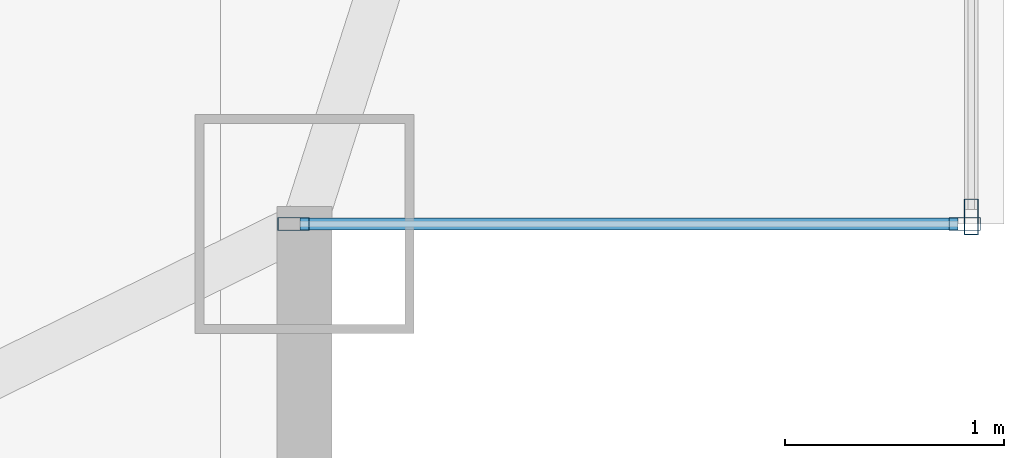
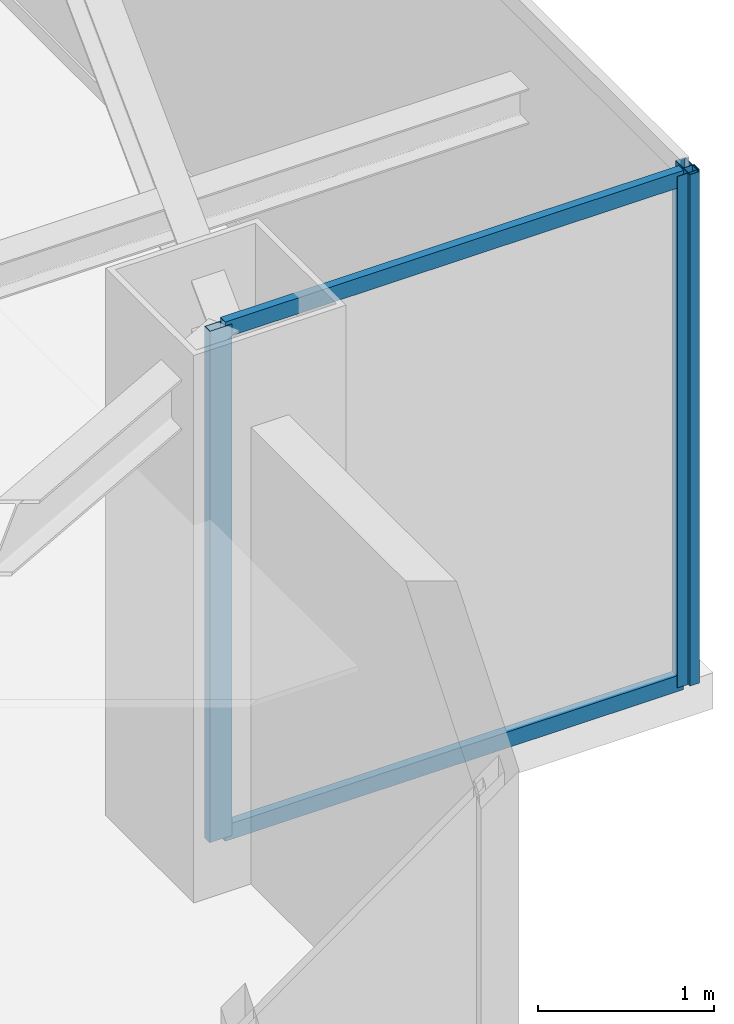
# One storey, part 12 of 24: 5 members, 2 elements without a shape of their own.
"""IFC4 building model written with IfcOpenShell, lengths in metres."""

from ifc_helpers import new_model, si_unit, direction, frame, origin, origin_2d, place, context, subcontext, project, spatial, hollow_rectangle, extrude, source, transform, mapped, material, layer, layer_set, material_profile, profile_set, type_object, type_shapes, element, aggregate, save


model = new_model("IFC4")

# Units and contexts
model_context = context("Model", 3, precision=1e-05, world=origin(), true_north=direction((0.0, 1.0)))
body_context = subcontext(model_context, "Body", "Model", "MODEL_VIEW")
ifc_project = project(units=[si_unit("LENGTHUNIT", "METRE"), si_unit("AREAUNIT", "SQUARE_METRE"), si_unit("VOLUMEUNIT", "CUBIC_METRE"), si_unit("PLANEANGLEUNIT", "RADIAN"), si_unit("MASSUNIT", "GRAM", prefix="KILO")], contexts=[model_context])

# Site, building, storey
site_placement = place(None, origin())
site = spatial("IfcSite", under=ifc_project, at=site_placement, CompositionType="ELEMENT")
building_placement = place(site_placement, origin())
building = spatial("IfcBuilding", under=site, at=building_placement, Name="Varnel Quay Broadcast Tower", CompositionType="ELEMENT")
storey_placement = place(building_placement, frame((0.0, 0.0, 281.199951171875)))
storey = spatial("IfcBuildingStorey", under=building, at=storey_placement, Name="L70", CompositionType="ELEMENT", Elevation=281.199951171875)

# Curtain wall, members
ifc_material = material(Name="Anodised Bronze Aluminium 6063-T6", Category="aluminium")
ifc_layer_1 = layer(ifc_material, 0.18994140625, Name="Anodised Bronze Aluminium 6063-T6")
ifc_layer_set_1 = layer_set([ifc_layer_1], Name="Anodised Bronze Aluminium 6063-T6")
curtain_wall_type_1 = type_object("IfcCurtainWallType", Name="CW_NotchCorner", PredefinedType="NOTDEFINED", material=ifc_layer_set_1)
curtain_wall_1_placement = place(storey_placement, origin())
curtain_wall_1 = element("IfcCurtainWall", 1, at=curtain_wall_1_placement, inside=storey, type_object=curtain_wall_type_1, Name="L70 SE Notch Curtain Wall", PredefinedType="NOTDEFINED")
ifc_material_profile_1 = material_profile(ifc_material, hollow_rectangle(XDim=0.06005859375, YDim=0.14501953125, WallThickness=0.00341796875, at=origin_2d()), Name="ALU60X145X3.5")
ifc_profile_set_1 = profile_set([ifc_material_profile_1], Name="Anodised Bronze Aluminium 6063-T6")
member_type_1 = type_object("IfcMemberType", Name="Mull_CWS-04", PredefinedType="MULLION", material=ifc_profile_set_1)
shared_shape_1 = source(origin(), body_context, "Body", "SweptSolid", [
    extrude(hollow_rectangle(XDim=0.06005859375, YDim=0.14501953125, WallThickness=0.00341796875, at=origin_2d()), origin(), (0.0, 0.0, 1.0), 3.550048828125),
])
type_shapes(member_type_1, [shared_shape_1])
member_1_placement = place(storey_placement, frame((52.75, 16.39990234375, 0.0), z_axis=(0.0, 0.0, 1.0), x_axis=(0.0, 1.0, 0.0)))
member_1 = element("IfcMember", 2, at=member_1_placement, type_object=member_type_1, Name="CWS-04 mullion 1", PredefinedType="MULLION", context=body_context, shape_type="MappedRepresentation", body=[
    mapped(shared_shape_1, transform((0.0, 0.0, 0.0), x_axis=(1.0, 0.0, 0.0), y_axis=(0.0, 1.0, 0.0), z_axis=(0.0, 0.0, 1.0), scale=1.0)),
])
member_2_placement = place(storey_placement, frame((55.820068359375, 16.39990234375, 0.0), z_axis=(0.0, 0.0, 1.0), x_axis=(0.0, 1.0, 0.0)))
member_2 = element("IfcMember", 3, at=member_2_placement, type_object=member_type_1, Name="CWS-04 mullion 2", PredefinedType="MULLION", context=body_context, shape_type="MappedRepresentation", body=[
    mapped(shared_shape_1, transform((0.0, 0.0, 0.0), x_axis=(1.0, 0.0, 0.0), y_axis=(0.0, 1.0, 0.0), z_axis=(0.0, 0.0, 1.0), scale=1.0)),
])

# Curtain wall, member
ifc_layer_2 = layer(ifc_material, 0.18994140625, Name="Anodised Bronze Aluminium 6063-T6")
ifc_layer_set_2 = layer_set([ifc_layer_2], Name="Anodised Bronze Aluminium 6063-T6")
curtain_wall_type_2 = type_object("IfcCurtainWallType", Name="CW_UpperTower", PredefinedType="NOTDEFINED", material=ifc_layer_set_2)
curtain_wall_2_placement = place(storey_placement, origin())
curtain_wall_2 = element("IfcCurtainWall", 4, at=curtain_wall_2_placement, inside=storey, type_object=curtain_wall_type_2, Name="L70 East Unitised Curtain Wall", PredefinedType="NOTDEFINED")
ifc_material_profile_2 = material_profile(ifc_material, hollow_rectangle(XDim=0.06494140625, YDim=0.1650390625, WallThickness=0.00341796875, at=origin_2d()), Name="ALU65X165X3.5")
ifc_profile_set_2 = profile_set([ifc_material_profile_2], Name="Anodised Bronze Aluminium 6063-T6")
member_type_2 = type_object("IfcMemberType", Name="Mull_CWS-03", PredefinedType="MULLION", material=ifc_profile_set_2)
shared_shape_2 = source(origin(), body_context, "Body", "SweptSolid", [
    extrude(hollow_rectangle(XDim=0.06494140625, YDim=0.1650390625, WallThickness=0.00341796875, at=origin_2d()), origin(), (0.0, 0.0, 1.0), 3.550048828125),
])
type_shapes(member_type_2, [shared_shape_2])
member_3_placement = place(storey_placement, frame((55.85009765625, 16.4326171875, 0.0), z_axis=(0.0, 0.0, 1.0), x_axis=(-1.0, 0.0, 0.0)))
member_3 = element("IfcMember", 5, at=member_3_placement, type_object=member_type_2, Name="CWS-03 mullion 1", PredefinedType="MULLION", context=body_context, shape_type="MappedRepresentation", body=[
    mapped(shared_shape_2, transform((0.0, 0.0, 0.0), x_axis=(1.0, 0.0, 0.0), y_axis=(0.0, 1.0, 0.0), z_axis=(0.0, 0.0, 1.0), scale=1.0)),
])
aggregate(curtain_wall_2, [member_3])

# Member
ifc_material_profile_3 = material_profile(ifc_material, hollow_rectangle(XDim=0.054931640625, YDim=0.110107421875, WallThickness=0.0029296875, at=origin_2d()), Name="ALU55X110X3")
ifc_profile_set_3 = profile_set([ifc_material_profile_3], Name="Anodised Bronze Aluminium 6063-T6")
member_type_3 = type_object("IfcMemberType", Name="Tran_CWS-04", PredefinedType="USERDEFINED", material=ifc_profile_set_3)
shared_shape_3 = source(origin(), body_context, "Body", "SweptSolid", [
    extrude(hollow_rectangle(XDim=0.054931640625, YDim=0.110107421875, WallThickness=0.0029296875, at=origin_2d()), origin(), (0.0, 0.0, 1.0), 3.010009765625),
])
type_shapes(member_type_3, [shared_shape_3])
member_4_placement = place(storey_placement, frame((52.780029296875, 16.39990234375, 0.027587890625), z_axis=(1.0, 0.0, 0.0), x_axis=(0.0, 1.0, 0.0)))
member_4 = element("IfcMember", 6, at=member_4_placement, type_object=member_type_3, Name="CWS-04 transom 1.1", ObjectType="TRANSOM", PredefinedType="USERDEFINED", context=body_context, shape_type="MappedRepresentation", body=[
    mapped(shared_shape_3, transform((0.0, 0.0, 0.0), x_axis=(1.0, 0.0, 0.0), y_axis=(0.0, 1.0, 0.0), z_axis=(0.0, 0.0, 1.0), scale=1.0)),
])

member_5_placement = place(storey_placement, frame((52.780029296875, 16.39990234375, 3.5224609375), z_axis=(1.0, 0.0, 0.0), x_axis=(0.0, 1.0, 0.0)))
member_5 = element("IfcMember", 7, at=member_5_placement, type_object=member_type_3, Name="CWS-04 transom 1.2", ObjectType="TRANSOM", PredefinedType="USERDEFINED", context=body_context, shape_type="MappedRepresentation", body=[
    mapped(shared_shape_3, transform((0.0, 0.0, 0.0), x_axis=(1.0, 0.0, 0.0), y_axis=(0.0, 1.0, 0.0), z_axis=(0.0, 0.0, 1.0), scale=1.0)),
])

aggregate(curtain_wall_1, [member_1, member_2, member_4, member_5])

save(model, "model.ifc")
